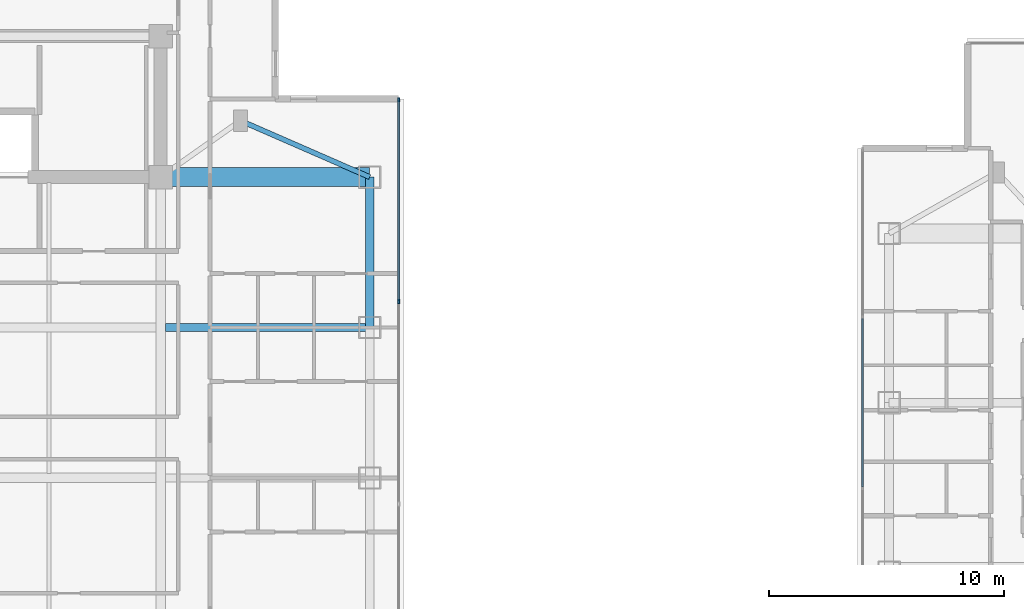
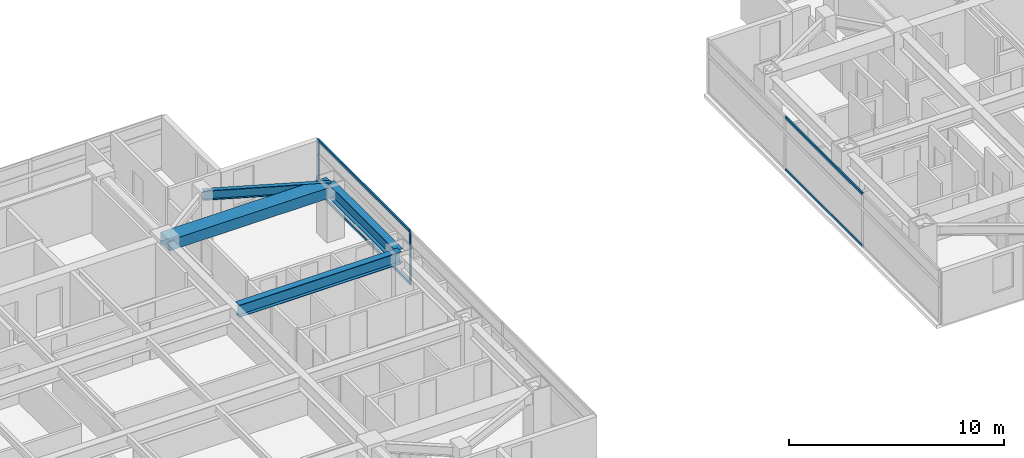
# One storey, part 6 of 24: 6 members, 4 beams, 2 elements without a shape of their own.
"""IFC4 building model written with IfcOpenShell, lengths in metres."""

from ifc_helpers import new_model, si_unit, direction, frame, origin, origin_2d, place, context, subcontext, project, spatial, rectangle, i_section, extrude, material, material_profile, profile_set, type_object, element, aggregate, save


model = new_model("IFC4")

# Units and contexts
model_context = context("Model", 3, precision=1e-05, world=origin(), true_north=direction((0.0, 1.0)))
body_context = subcontext(model_context, "Body", "Model", "MODEL_VIEW")
ifc_project = project(units=[si_unit("LENGTHUNIT", "METRE"), si_unit("AREAUNIT", "SQUARE_METRE"), si_unit("VOLUMEUNIT", "CUBIC_METRE"), si_unit("PLANEANGLEUNIT", "RADIAN"), si_unit("MASSUNIT", "GRAM", prefix="KILO")], contexts=[model_context])

# Site, building, storey
site_placement = place(None, origin())
site = spatial("IfcSite", under=ifc_project, at=site_placement, CompositionType="ELEMENT")
building_placement = place(site_placement, origin())
building = spatial("IfcBuilding", under=site, at=building_placement, Name="Mirazonda Arch Towers", CompositionType="ELEMENT")
storey_placement = place(building_placement, frame((0.0, 0.0, 154.39990234375)))
storey = spatial("IfcBuildingStorey", under=building, at=storey_placement, Name="L43", CompositionType="ELEMENT", Elevation=154.39990234375)

# Beams
ifc_material_1 = material(Name="Steel ASTM A992 Grade 50", Category="steel")
ifc_material_profile_1 = material_profile(ifc_material_1, i_section(OverallWidth=0.381103515625, OverallDepth=0.77294921875, WebThickness=0.0166015625, FlangeThickness=0.027099609375, at=origin_2d()), Name="W30X173")
ifc_profile_set_1 = profile_set([ifc_material_profile_1], Name="Steel ASTM A992 Grade 50")
beam_type_1 = type_object("IfcBeamType", Name="BM-EXT-W30X173", PredefinedType="USERDEFINED", material=ifc_profile_set_1)
beam_1_placement = place(storey_placement, frame((38.89990234375, 31.199951171875, 2.66357421875), z_axis=(0.0, 1.0, 0.0), x_axis=(-1.0, 0.0, 0.0)))
element("IfcBeam", 1, at=beam_1_placement, inside=storey, type_object=beam_type_1, Name="L43 Floor Beam BM-T1-L43-NS-E-31", ObjectType="GIRDER", PredefinedType="USERDEFINED", context=body_context, shape_type="SweptSolid", body=[
    extrude(i_section(OverallWidth=0.381103515625, OverallDepth=0.77294921875, WebThickness=0.0166015625, FlangeThickness=0.027099609375, at=origin_2d()), origin(), (0.0, 0.0, 1.0), 6.400146484375),
])
ifc_material_profile_2 = material_profile(ifc_material_1, i_section(OverallWidth=0.214111328125, OverallDepth=0.549072265625, WebThickness=0.0146484375, FlangeThickness=0.023681640625, at=origin_2d()), Name="W21X93")
ifc_profile_set_2 = profile_set([ifc_material_profile_2], Name="Steel ASTM A992 Grade 50")
beam_type_2 = type_object("IfcBeamType", Name="BM-INT-W21X93", PredefinedType="BEAM", material=ifc_profile_set_2)
beam_2_placement = place(storey_placement, frame((33.39990234375, 40.0, 2.775634765625), z_axis=(0.916545343703, -0.399930785183, 0.0), x_axis=(0.399930785183, 0.916545343703, 0.0)))
element("IfcBeam", 2, at=beam_2_placement, inside=storey, type_object=beam_type_2, Name="L43 Floor Beam BM-T1-L43-PL-NE2", PredefinedType="BEAM", context=body_context, shape_type="SweptSolid", body=[
    extrude(i_section(OverallWidth=0.214111328125, OverallDepth=0.549072265625, WebThickness=0.0146484375, FlangeThickness=0.023681640625, at=origin_2d()), origin(), (0.0, 0.0, 1.0), 6.000732421875),
])
ifc_material_profile_3 = material_profile(ifc_material_1, i_section(OverallWidth=0.35498046875, OverallDepth=0.696044921875, WebThickness=0.015380859375, FlangeThickness=0.02490234375, at=origin_2d()), Name="W27X146")
ifc_profile_set_3 = profile_set([ifc_material_profile_3], Name="Steel ASTM A992 Grade 50")
beam_type_3 = type_object("IfcBeamType", Name="BM-INT-W27X146", PredefinedType="BEAM", material=ifc_profile_set_3)
beam_3_placement = place(storey_placement, frame((30.199951171875, 31.199951171875, 2.7021484375), z_axis=(1.0, 0.0, 0.0), x_axis=(0.0, 1.0, 0.0)))
element("IfcBeam", 3, at=beam_3_placement, inside=storey, type_object=beam_type_3, Name="L43 Floor Beam BM-T1-L43-GE3", PredefinedType="BEAM", context=body_context, shape_type="SweptSolid", body=[
    extrude(i_section(OverallWidth=0.35498046875, OverallDepth=0.696044921875, WebThickness=0.015380859375, FlangeThickness=0.02490234375, at=origin_2d()), origin(), (0.0, 0.0, 1.0), 8.699951171875),
])
ifc_material_2 = material(Name="Concrete C60/75", Category="concrete")
ifc_material_profile_4 = material_profile(ifc_material_2, rectangle(XDim=0.800048828125, YDim=0.60009765625, at=origin_2d()), Name="RCCB800x600")
ifc_profile_set_4 = profile_set([ifc_material_profile_4], Name="Concrete C60/75")
beam_type_4 = type_object("IfcBeamType", Name="CB-INT-RCCB800x600", PredefinedType="SPANDREL", material=ifc_profile_set_4)
beam_4_placement = place(storey_placement, frame((30.0, 37.60009765625, 2.75), z_axis=(1.0, 0.0, 0.0), x_axis=(0.0, 1.0, 0.0)))
element("IfcBeam", 4, at=beam_4_placement, inside=storey, type_object=beam_type_4, Name="L43 Floor Beam CBC-T1-L43-NE", PredefinedType="SPANDREL", context=body_context, shape_type="SweptSolid", body=[
    extrude(rectangle(XDim=0.800048828125, YDim=0.60009765625, at=origin_2d()), origin(), (0.0, 0.0, 1.0), 8.89990234375),
])

# Curtain wall, members
ifc_material_3 = material(Name="Anodised Aluminium and Low-E Glass", Category="aluminium")
curtain_wall_type = type_object("IfcCurtainWallType", Name="CW-RES-UNIT", PredefinedType="NOTDEFINED", material=ifc_material_3)
curtain_wall_1_placement = place(storey_placement, origin())
curtain_wall_1 = element("IfcCurtainWall", 5, at=curtain_wall_1_placement, inside=storey, type_object=curtain_wall_type, Name="L43 T1 E Facade CW-L43-T1-E", PredefinedType="NOTDEFINED")
ifc_material_4 = material(Name="Anodised Aluminium Alloy", Category="aluminium")
ifc_material_profile_5 = material_profile(ifc_material_4, rectangle(XDim=0.074951171875, YDim=0.175048828125, at=origin_2d()), Name="ALU-MULL-75x175")
ifc_profile_set_5 = profile_set([ifc_material_profile_5], Name="Anodised Aluminium Alloy")
member_type_1 = type_object("IfcMemberType", Name="MULL-CW-RES-UNIT", PredefinedType="MULLION", material=ifc_profile_set_5)
member_1_placement = place(storey_placement, frame((40.1298828125, 32.308349609375, 0.0), z_axis=(0.0, 0.0, 1.0), x_axis=(-1.0, 0.0, 0.0)))
member_1 = element("IfcMember", 6, at=member_1_placement, type_object=member_type_1, Name="CW-104 mullion 3", PredefinedType="MULLION", context=body_context, shape_type="SweptSolid", body=[
    extrude(rectangle(XDim=0.074951171875, YDim=0.175048828125, at=origin_2d()), origin(), (0.0, 0.0, 1.0), 3.030029296875),
])
member_2_placement = place(storey_placement, frame((40.1298828125, 40.887451171875, 0.0), z_axis=(0.0, 0.0, 1.0), x_axis=(-1.0, 0.0, 0.0)))
member_2 = element("IfcMember", 7, at=member_2_placement, type_object=member_type_1, Name="CW-104 mullion 4", PredefinedType="MULLION", context=body_context, shape_type="SweptSolid", body=[
    extrude(rectangle(XDim=0.074951171875, YDim=0.175048828125, at=origin_2d()), origin(), (0.0, 0.0, 1.0), 3.030029296875),
])
ifc_material_profile_6 = material_profile(ifc_material_4, rectangle(XDim=0.074951171875, YDim=0.155029296875, at=origin_2d()), Name="ALU-TRAN-75x155")
ifc_profile_set_6 = profile_set([ifc_material_profile_6], Name="Anodised Aluminium Alloy")
member_type_2 = type_object("IfcMemberType", Name="TRAN-CW-RES-UNIT", PredefinedType="USERDEFINED", material=ifc_profile_set_6)
member_3_placement = place(storey_placement, frame((40.1298828125, 32.345947265625, 0.03759765625), z_axis=(0.0, 1.0, 0.0), x_axis=(-1.0, 0.0, 0.0)))
member_3 = element("IfcMember", 8, at=member_3_placement, type_object=member_type_2, Name="CW-104 transom 3.1", ObjectType="TRANSOM", PredefinedType="USERDEFINED", context=body_context, shape_type="SweptSolid", body=[
    extrude(rectangle(XDim=0.074951171875, YDim=0.155029296875, at=origin_2d()), origin(), (0.0, 0.0, 1.0), 8.504150390625),
])
member_4_placement = place(storey_placement, frame((40.1298828125, 32.345947265625, 2.99267578125), z_axis=(0.0, 1.0, 0.0), x_axis=(-1.0, 0.0, 0.0)))
member_4 = element("IfcMember", 9, at=member_4_placement, type_object=member_type_2, Name="CW-104 transom 3.2", ObjectType="TRANSOM", PredefinedType="USERDEFINED", context=body_context, shape_type="SweptSolid", body=[
    extrude(rectangle(XDim=0.074951171875, YDim=0.155029296875, at=origin_2d()), origin(), (0.0, 0.0, 1.0), 8.504150390625),
])
aggregate(curtain_wall_1, [member_1, member_2, member_3, member_4])

curtain_wall_2_placement = place(storey_placement, origin())
curtain_wall_2 = element("IfcCurtainWall", 10, at=curtain_wall_2_placement, inside=storey, type_object=curtain_wall_type, Name="L43 T2 W Facade CW-L43-T2-W", PredefinedType="NOTDEFINED")
member_5_placement = place(storey_placement, frame((59.867431640625, 31.5712890625, 0.03759765625), z_axis=(0.0, -1.0, 0.0), x_axis=(1.0, 0.0, 0.0)))
member_5 = element("IfcMember", 11, at=member_5_placement, type_object=member_type_2, Name="CW-104 transom 2.1", ObjectType="TRANSOM", PredefinedType="USERDEFINED", context=body_context, shape_type="SweptSolid", body=[
    extrude(rectangle(XDim=0.074951171875, YDim=0.155029296875, at=origin_2d()), origin(), (0.0, 0.0, 1.0), 7.142578125),
])
member_6_placement = place(storey_placement, frame((59.867431640625, 31.5712890625, 2.99267578125), z_axis=(0.0, -1.0, 0.0), x_axis=(1.0, 0.0, 0.0)))
member_6 = element("IfcMember", 12, at=member_6_placement, type_object=member_type_2, Name="CW-104 transom 2.2", ObjectType="TRANSOM", PredefinedType="USERDEFINED", context=body_context, shape_type="SweptSolid", body=[
    extrude(rectangle(XDim=0.074951171875, YDim=0.155029296875, at=origin_2d()), origin(), (0.0, 0.0, 1.0), 7.142578125),
])
aggregate(curtain_wall_2, [member_5, member_6])

save(model, "model.ifc")
